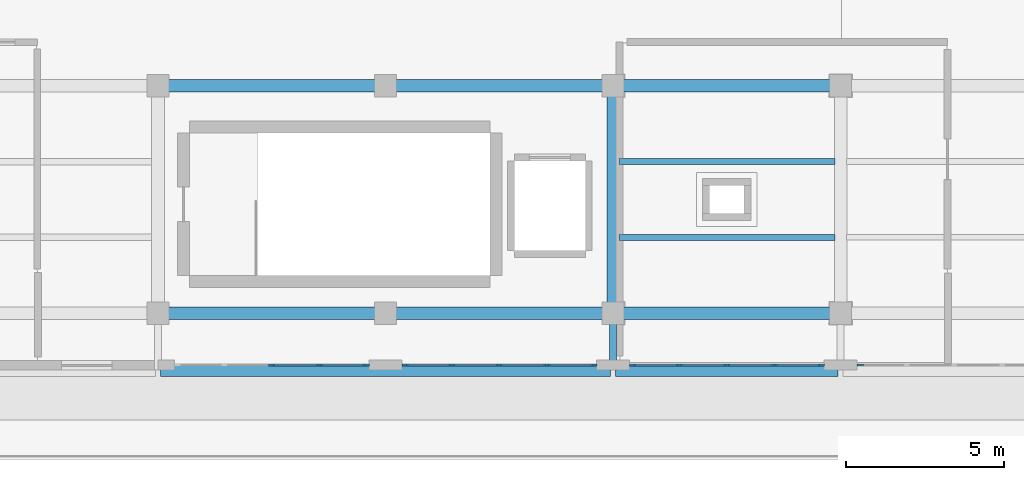
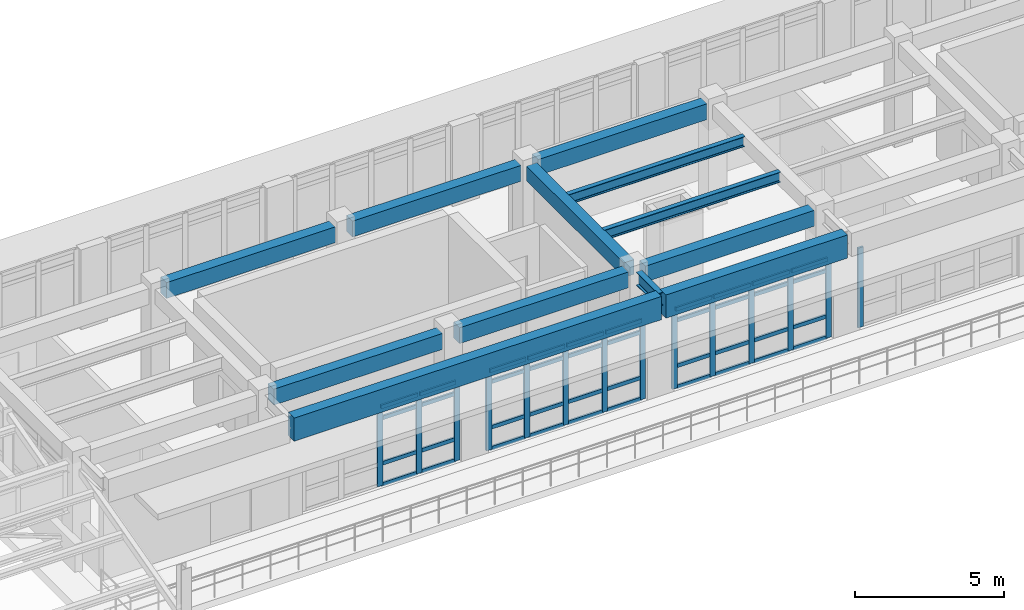
# One storey, part 11 of 55: 54 members, 12 beams, 4 elements without a shape of their own.
"""IFC4 building model written with IfcOpenShell, lengths in metres."""

from ifc_helpers import new_model, si_unit, direction, frame, origin, origin_2d, place, context, subcontext, project, spatial, rectangle, i_section, extrude, material, layer, layer_set, material_profile, profile_set, type_object, element, aggregate, save


model = new_model("IFC4")

# Units and contexts
model_context = context("Model", 3, precision=1e-05, world=origin(), true_north=direction((0.0, 1.0)))
body_context = subcontext(model_context, "Body", "Model", "MODEL_VIEW")
ifc_project = project(units=[si_unit("LENGTHUNIT", "METRE"), si_unit("AREAUNIT", "SQUARE_METRE"), si_unit("VOLUMEUNIT", "CUBIC_METRE"), si_unit("PLANEANGLEUNIT", "RADIAN"), si_unit("MASSUNIT", "GRAM", prefix="KILO")], contexts=[model_context])

# Site, building, storey
site_placement = place(None, origin())
site = spatial("IfcSite", under=ifc_project, at=site_placement, CompositionType="ELEMENT")
building_placement = place(site_placement, origin())
building = spatial("IfcBuilding", under=site, at=building_placement, Name="Solenvale Faculty of Natural Sciences", CompositionType="ELEMENT")
storey_placement = place(building_placement, frame((0.0, 0.0, 22.5)))
storey = spatial("IfcBuildingStorey", under=building, at=storey_placement, Name="L05", CompositionType="ELEMENT", Elevation=22.5)

# Beams
ifc_material_1 = material(Name="Concrete 40 MPa", Category="concrete")
ifc_material_profile_1 = material_profile(ifc_material_1, rectangle(XDim=0.39990234375, YDim=0.60009765625, at=origin_2d()), Name="RC-BM-400x600")
ifc_profile_set_1 = profile_set([ifc_material_profile_1], Name="Concrete 40 MPa")
beam_type_1 = type_object("IfcBeamType", Name="BM-RC-400x600", PredefinedType="BEAM", material=ifc_profile_set_1)
beam_1_placement = place(storey_placement, frame((79.199951171875, 21.929931640625, 3.919921875), z_axis=(0.0, 1.0, 0.0), x_axis=(-1.0, 0.0, 0.0)))
element("IfcBeam", 1, at=beam_1_placement, inside=storey, type_object=beam_type_1, Name="L05 Y-Girder X79.2 (21.6..28.8)", PredefinedType="BEAM", context=body_context, shape_type="SweptSolid", body=[
    extrude(rectangle(XDim=0.39990234375, YDim=0.60009765625, at=origin_2d()), origin(), (0.0, 0.0, 1.0), 6.5400390625),
])
ifc_material_profile_2 = material_profile(ifc_material_1, rectangle(XDim=0.39990234375, YDim=0.64990234375, at=origin_2d()), Name="RC-BM-400x650")
ifc_profile_set_2 = profile_set([ifc_material_profile_2], Name="Concrete 40 MPa")
beam_type_2 = type_object("IfcBeamType", Name="BM-RC-400x650", PredefinedType="BEAM", material=ifc_profile_set_2)
for number, where, z_axis, x_axis, name in (
    (2, (65.1298828125, 21.60009765625, 3.89501953125), (1.0, 0.0, 0.0), (0.0, 1.0, 0.0), "L05 X-Girder Y21.6 (64.8..72.0)"),
    (3, (72.330078125, 21.60009765625, 3.89501953125), (1.0, 0.0, 0.0), (0.0, 1.0, 0.0), "L05 X-Girder Y21.6 (72.0..79.2)"),
    (4, (79.530029296875, 21.60009765625, 3.89501953125), (1.0, 0.0, 0.0), (0.0, 1.0, 0.0), "L05 X-Girder Y21.6 (79.2..86.4)"),
    (5, (65.1298828125, 28.800048828125, 3.89501953125), (1.0, 0.0, 0.0), (0.0, 1.0, 0.0), "L05 X-Girder Y28.8 (64.8..72.0)"),
    (6, (72.330078125, 28.800048828125, 3.89501953125), (1.0, 0.0, 0.0), (0.0, 1.0, 0.0), "L05 X-Girder Y28.8 (72.0..79.2)"),
    (7, (79.530029296875, 28.800048828125, 3.89501953125), (1.0, 0.0, 0.0), (0.0, 1.0, 0.0), "L05 X-Girder Y28.8 (79.2..86.4)"),
):
    element("IfcBeam", number, at=place(storey_placement, frame(where, z_axis=z_axis, x_axis=x_axis)), inside=storey, type_object=beam_type_2, Name=name, PredefinedType="BEAM", context=body_context, shape_type="SweptSolid", body=[
        extrude(rectangle(XDim=0.39990234375, YDim=0.64990234375, at=origin_2d()), origin(), (0.0, 0.0, 1.0), 6.5400390625),
    ])
ifc_material_2 = material(Name="Architectural bronze concrete 40 MPa", Category="concrete")
ifc_material_profile_3 = material_profile(ifc_material_2, rectangle(XDim=0.39990234375, YDim=0.949951171875, at=origin_2d()), Name="RC-SPN-400x950")
ifc_profile_set_3 = profile_set([ifc_material_profile_3], Name="Architectural bronze concrete 40 MPa")
beam_type_3 = type_object("IfcBeamType", Name="BM-SPN-BRZ-950", PredefinedType="SPANDREL", material=ifc_profile_set_3)
beam_2_placement = place(storey_placement, frame((64.8798828125, 19.800048828125, 3.7451171875), z_axis=(1.0, 0.0, 0.0), x_axis=(0.0, 1.0, 0.0)))
element("IfcBeam", 8, at=beam_2_placement, inside=storey, type_object=beam_type_3, Name="L06 Sliding-Tray South Bronze Fascia 2", PredefinedType="SPANDREL", context=body_context, shape_type="SweptSolid", body=[
    extrude(rectangle(XDim=0.39990234375, YDim=0.949951171875, at=origin_2d()), origin(), (0.0, 0.0, 1.0), 14.240234375),
])
beam_3_placement = place(storey_placement, frame((79.280029296875, 19.800048828125, 3.7451171875), z_axis=(1.0, 0.0, 0.0), x_axis=(0.0, 1.0, 0.0)))
element("IfcBeam", 9, at=beam_3_placement, inside=storey, type_object=beam_type_3, Name="L06 Sliding-Tray South Bronze Fascia 3", PredefinedType="SPANDREL", context=body_context, shape_type="SweptSolid", body=[
    extrude(rectangle(XDim=0.39990234375, YDim=0.949951171875, at=origin_2d()), origin(), (0.0, 0.0, 1.0), 7.0400390625),
])
ifc_material_3 = material(Name="Steel S355", Category="steel")
ifc_material_profile_4 = material_profile(ifc_material_3, i_section(OverallWidth=0.180908203125, OverallDepth=0.4169921875, WebThickness=0.010986328125, FlangeThickness=0.018310546875, FilletRadius=0.01611328125, at=origin_2d()), Name="W410x85")
ifc_profile_set_4 = profile_set([ifc_material_profile_4], Name="Steel S355")
beam_type_4 = type_object("IfcBeamType", Name="BM-STL-W410x85", PredefinedType="JOIST", material=ifc_profile_set_4)
for number, where, z_axis, x_axis, name in (
    (10, (79.3798828125, 24.0, 4.011474609375), (1.0, 0.0, 0.0), (0.0, 1.0, 0.0), "L05 Composite Floor Joist (12,4).1"),
    (11, (79.3798828125, 26.39990234375, 4.011474609375), (1.0, 0.0, 0.0), (0.0, 1.0, 0.0), "L05 Composite Floor Joist (12,4).2"),
):
    element("IfcBeam", number, at=place(storey_placement, frame(where, z_axis=z_axis, x_axis=x_axis)), inside=storey, type_object=beam_type_4, Name=name, PredefinedType="JOIST", context=body_context, shape_type="SweptSolid", body=[
        extrude(i_section(OverallWidth=0.180908203125, OverallDepth=0.4169921875, WebThickness=0.010986328125, FlangeThickness=0.018310546875, FilletRadius=0.01611328125, at=origin_2d()), origin(), (0.0, 0.0, 1.0), 6.840087890625),
    ])
ifc_material_profile_5 = material_profile(ifc_material_3, i_section(OverallWidth=0.2119140625, OverallDepth=0.5439453125, WebThickness=0.01318359375, FlangeThickness=0.021240234375, FilletRadius=0.01904296875, at=origin_2d()), Name="W530x123")
ifc_profile_set_5 = profile_set([ifc_material_profile_5], Name="Steel S355")
beam_type_5 = type_object("IfcBeamType", Name="BM-STL-W530x123", PredefinedType="BEAM", material=ifc_profile_set_5)
beam_4_placement = place(storey_placement, frame((79.199951171875, 21.27001953125, 3.947998046875), z_axis=(0.0, -1.0, 0.0), x_axis=(1.0, 0.0, 0.0)))
element("IfcBeam", 12, at=beam_4_placement, inside=storey, type_object=beam_type_5, Name="L05 V4 Cantilever Tray Girder X79.2", PredefinedType="BEAM", context=body_context, shape_type="SweptSolid", body=[
    extrude(i_section(OverallWidth=0.2119140625, OverallDepth=0.5439453125, WebThickness=0.01318359375, FlangeThickness=0.021240234375, FilletRadius=0.01904296875, at=origin_2d()), origin(), (0.0, 0.0, 1.0), 1.469970703125),
])

# Curtain wall, members
ifc_material_4 = material(Name="Anodised bronze aluminium", Category="aluminium")
ifc_layer = layer(ifc_material_4, 0.18994140625)
ifc_layer_set = layer_set([ifc_layer], Name="Anodised bronze aluminium")
curtain_wall_type = type_object("IfcCurtainWallType", Name="CW-TRAY-REC", PredefinedType="USERDEFINED", material=ifc_layer_set)
curtain_wall_1_placement = place(storey_placement, origin())
curtain_wall_1 = element("IfcCurtainWall", 13, at=curtain_wall_1_placement, inside=storey, type_object=curtain_wall_type, Name="L05 Curtain Wall CW-L05-P1-E4-B2", ObjectType="UNITISED CURTAIN WALL", PredefinedType="USERDEFINED")
ifc_material_profile_6 = material_profile(ifc_material_4, rectangle(XDim=0.074951171875, YDim=0.2099609375, at=origin_2d()), Name="ALU-MUL-75x210")
ifc_profile_set_6 = profile_set([ifc_material_profile_6], Name="Anodised bronze aluminium")
member_type_1 = type_object("IfcMemberType", Name="CWM-ALU-75x210", PredefinedType="MULLION", material=ifc_profile_set_6)
member_1_placement = place(storey_placement, frame((68.39990234375, 19.96240234375, 0.0), z_axis=(0.0, 0.0, 1.0), x_axis=(0.0, 1.0, 0.0)))
member_1 = element("IfcMember", 14, at=member_1_placement, type_object=member_type_1, Name="CW-02 mullion 3", PredefinedType="MULLION", context=body_context, shape_type="SweptSolid", body=[
    extrude(rectangle(XDim=0.074951171875, YDim=0.2099609375, at=origin_2d()), origin(), (0.0, 0.0, 1.0), 3.260009765625),
])
member_2_placement = place(storey_placement, frame((69.909912109375, 19.96240234375, 0.0), z_axis=(0.0, 0.0, 1.0), x_axis=(0.0, 1.0, 0.0)))
member_2 = element("IfcMember", 15, at=member_2_placement, type_object=member_type_1, Name="CW-02 mullion 4", PredefinedType="MULLION", context=body_context, shape_type="SweptSolid", body=[
    extrude(rectangle(XDim=0.074951171875, YDim=0.2099609375, at=origin_2d()), origin(), (0.0, 0.0, 1.0), 3.260009765625),
])
member_3_placement = place(storey_placement, frame((71.382568359375, 19.96240234375, 0.0), z_axis=(0.0, 0.0, 1.0), x_axis=(0.0, 1.0, 0.0)))
member_3 = element("IfcMember", 16, at=member_3_placement, type_object=member_type_1, Name="CW-02 mullion 5", PredefinedType="MULLION", context=body_context, shape_type="SweptSolid", body=[
    extrude(rectangle(XDim=0.074951171875, YDim=0.2099609375, at=origin_2d()), origin(), (0.0, 0.0, 1.0), 3.260009765625),
])

curtain_wall_2_placement = place(storey_placement, origin())
curtain_wall_2 = element("IfcCurtainWall", 17, at=curtain_wall_2_placement, inside=storey, type_object=curtain_wall_type, Name="L05 Curtain Wall CW-L05-P1-E4-B3", ObjectType="UNITISED CURTAIN WALL", PredefinedType="USERDEFINED")
member_4_placement = place(storey_placement, frame((72.617431640625, 19.96240234375, 0.0), z_axis=(0.0, 0.0, 1.0), x_axis=(0.0, 1.0, 0.0)))
member_4 = element("IfcMember", 18, at=member_4_placement, type_object=member_type_1, Name="CW-02 mullion 1", PredefinedType="MULLION", context=body_context, shape_type="SweptSolid", body=[
    extrude(rectangle(XDim=0.074951171875, YDim=0.2099609375, at=origin_2d()), origin(), (0.0, 0.0, 1.0), 3.260009765625),
])
member_5_placement = place(storey_placement, frame((74.090087890625, 19.96240234375, 0.0), z_axis=(0.0, 0.0, 1.0), x_axis=(0.0, 1.0, 0.0)))
member_5 = element("IfcMember", 19, at=member_5_placement, type_object=member_type_1, Name="CW-02 mullion 2", PredefinedType="MULLION", context=body_context, shape_type="SweptSolid", body=[
    extrude(rectangle(XDim=0.074951171875, YDim=0.2099609375, at=origin_2d()), origin(), (0.0, 0.0, 1.0), 3.260009765625),
])
member_6_placement = place(storey_placement, frame((75.60009765625, 19.96240234375, 0.0), z_axis=(0.0, 0.0, 1.0), x_axis=(0.0, 1.0, 0.0)))
member_6 = element("IfcMember", 20, at=member_6_placement, type_object=member_type_1, Name="CW-02 mullion 3", PredefinedType="MULLION", context=body_context, shape_type="SweptSolid", body=[
    extrude(rectangle(XDim=0.074951171875, YDim=0.2099609375, at=origin_2d()), origin(), (0.0, 0.0, 1.0), 3.260009765625),
])
member_7_placement = place(storey_placement, frame((77.110107421875, 19.96240234375, 0.0), z_axis=(0.0, 0.0, 1.0), x_axis=(0.0, 1.0, 0.0)))
member_7 = element("IfcMember", 21, at=member_7_placement, type_object=member_type_1, Name="CW-02 mullion 4", PredefinedType="MULLION", context=body_context, shape_type="SweptSolid", body=[
    extrude(rectangle(XDim=0.074951171875, YDim=0.2099609375, at=origin_2d()), origin(), (0.0, 0.0, 1.0), 3.260009765625),
])
member_8_placement = place(storey_placement, frame((78.58251953125, 19.96240234375, 0.0), z_axis=(0.0, 0.0, 1.0), x_axis=(0.0, 1.0, 0.0)))
member_8 = element("IfcMember", 22, at=member_8_placement, type_object=member_type_1, Name="CW-02 mullion 5", PredefinedType="MULLION", context=body_context, shape_type="SweptSolid", body=[
    extrude(rectangle(XDim=0.074951171875, YDim=0.2099609375, at=origin_2d()), origin(), (0.0, 0.0, 1.0), 3.260009765625),
])

curtain_wall_3_placement = place(storey_placement, origin())
curtain_wall_3 = element("IfcCurtainWall", 23, at=curtain_wall_3_placement, inside=storey, type_object=curtain_wall_type, Name="L05 Curtain Wall CW-L05-P1-E4-B4", ObjectType="UNITISED CURTAIN WALL", PredefinedType="USERDEFINED")
member_9_placement = place(storey_placement, frame((79.8173828125, 19.96240234375, 0.0), z_axis=(0.0, 0.0, 1.0), x_axis=(0.0, 1.0, 0.0)))
member_9 = element("IfcMember", 24, at=member_9_placement, type_object=member_type_1, Name="CW-02 mullion 1", PredefinedType="MULLION", context=body_context, shape_type="SweptSolid", body=[
    extrude(rectangle(XDim=0.074951171875, YDim=0.2099609375, at=origin_2d()), origin(), (0.0, 0.0, 1.0), 3.260009765625),
])
member_10_placement = place(storey_placement, frame((81.2900390625, 19.96240234375, 0.0), z_axis=(0.0, 0.0, 1.0), x_axis=(0.0, 1.0, 0.0)))
member_10 = element("IfcMember", 25, at=member_10_placement, type_object=member_type_1, Name="CW-02 mullion 2", PredefinedType="MULLION", context=body_context, shape_type="SweptSolid", body=[
    extrude(rectangle(XDim=0.074951171875, YDim=0.2099609375, at=origin_2d()), origin(), (0.0, 0.0, 1.0), 3.260009765625),
])
member_11_placement = place(storey_placement, frame((82.800048828125, 19.96240234375, 0.0), z_axis=(0.0, 0.0, 1.0), x_axis=(0.0, 1.0, 0.0)))
member_11 = element("IfcMember", 26, at=member_11_placement, type_object=member_type_1, Name="CW-02 mullion 3", PredefinedType="MULLION", context=body_context, shape_type="SweptSolid", body=[
    extrude(rectangle(XDim=0.074951171875, YDim=0.2099609375, at=origin_2d()), origin(), (0.0, 0.0, 1.0), 3.260009765625),
])
member_12_placement = place(storey_placement, frame((84.31005859375, 19.96240234375, 0.0), z_axis=(0.0, 0.0, 1.0), x_axis=(0.0, 1.0, 0.0)))
member_12 = element("IfcMember", 27, at=member_12_placement, type_object=member_type_1, Name="CW-02 mullion 4", PredefinedType="MULLION", context=body_context, shape_type="SweptSolid", body=[
    extrude(rectangle(XDim=0.074951171875, YDim=0.2099609375, at=origin_2d()), origin(), (0.0, 0.0, 1.0), 3.260009765625),
])
member_13_placement = place(storey_placement, frame((85.782470703125, 19.96240234375, 0.0), z_axis=(0.0, 0.0, 1.0), x_axis=(0.0, 1.0, 0.0)))
member_13 = element("IfcMember", 28, at=member_13_placement, type_object=member_type_1, Name="CW-02 mullion 5", PredefinedType="MULLION", context=body_context, shape_type="SweptSolid", body=[
    extrude(rectangle(XDim=0.074951171875, YDim=0.2099609375, at=origin_2d()), origin(), (0.0, 0.0, 1.0), 3.260009765625),
])

# Curtain wall, member
curtain_wall_4_placement = place(storey_placement, origin())
curtain_wall_4 = element("IfcCurtainWall", 29, at=curtain_wall_4_placement, inside=storey, type_object=curtain_wall_type, Name="L05 Curtain Wall CW-L05-P1-E4-B5", ObjectType="UNITISED CURTAIN WALL", PredefinedType="USERDEFINED")
member_14_placement = place(storey_placement, frame((87.017578125, 19.96240234375, 0.0), z_axis=(0.0, 0.0, 1.0), x_axis=(0.0, 1.0, 0.0)))
member_14 = element("IfcMember", 30, at=member_14_placement, type_object=member_type_1, Name="CW-02 mullion 1", PredefinedType="MULLION", context=body_context, shape_type="SweptSolid", body=[
    extrude(rectangle(XDim=0.074951171875, YDim=0.2099609375, at=origin_2d()), origin(), (0.0, 0.0, 1.0), 3.260009765625),
])
aggregate(curtain_wall_4, [member_14])

# Member
ifc_material_profile_7 = material_profile(ifc_material_4, rectangle(XDim=0.074951171875, YDim=0.155029296875, at=origin_2d()), Name="ALU-TRN-75x155")
ifc_profile_set_7 = profile_set([ifc_material_profile_7], Name="Anodised bronze aluminium")
member_type_2 = type_object("IfcMemberType", Name="CWT-ALU-75x155", PredefinedType="USERDEFINED", material=ifc_profile_set_7)
member_15_placement = place(storey_placement, frame((68.4375, 19.96240234375, 0.03759765625), z_axis=(1.0, 0.0, 0.0), x_axis=(0.0, 1.0, 0.0)))
member_15 = element("IfcMember", 31, at=member_15_placement, type_object=member_type_2, Name="CW-02 transom 3.1", ObjectType="TRANSOM", PredefinedType="USERDEFINED", context=body_context, shape_type="SweptSolid", body=[
    extrude(rectangle(XDim=0.074951171875, YDim=0.155029296875, at=origin_2d()), origin(), (0.0, 0.0, 1.0), 1.43505859375),
])

member_16_placement = place(storey_placement, frame((68.4375, 19.96240234375, 0.89990234375), z_axis=(1.0, 0.0, 0.0), x_axis=(0.0, 1.0, 0.0)))
member_16 = element("IfcMember", 32, at=member_16_placement, type_object=member_type_2, Name="CW-02 transom 3.2", ObjectType="TRANSOM", PredefinedType="USERDEFINED", context=body_context, shape_type="SweptSolid", body=[
    extrude(rectangle(XDim=0.074951171875, YDim=0.155029296875, at=origin_2d()), origin(), (0.0, 0.0, 1.0), 1.43505859375),
])

member_17_placement = place(storey_placement, frame((68.4375, 19.96240234375, 2.760009765625), z_axis=(1.0, 0.0, 0.0), x_axis=(0.0, 1.0, 0.0)))
member_17 = element("IfcMember", 33, at=member_17_placement, type_object=member_type_2, Name="CW-02 transom 3.3", ObjectType="TRANSOM", PredefinedType="USERDEFINED", context=body_context, shape_type="SweptSolid", body=[
    extrude(rectangle(XDim=0.074951171875, YDim=0.155029296875, at=origin_2d()), origin(), (0.0, 0.0, 1.0), 1.43505859375),
])

member_18_placement = place(storey_placement, frame((68.4375, 19.96240234375, 3.222412109375), z_axis=(1.0, 0.0, 0.0), x_axis=(0.0, 1.0, 0.0)))
member_18 = element("IfcMember", 34, at=member_18_placement, type_object=member_type_2, Name="CW-02 transom 3.4", ObjectType="TRANSOM", PredefinedType="USERDEFINED", context=body_context, shape_type="SweptSolid", body=[
    extrude(rectangle(XDim=0.074951171875, YDim=0.155029296875, at=origin_2d()), origin(), (0.0, 0.0, 1.0), 1.43505859375),
])

member_19_placement = place(storey_placement, frame((69.947509765625, 19.96240234375, 0.03759765625), z_axis=(1.0, 0.0, 0.0), x_axis=(0.0, 1.0, 0.0)))
member_19 = element("IfcMember", 35, at=member_19_placement, type_object=member_type_2, Name="CW-02 transom 4.1", ObjectType="TRANSOM", PredefinedType="USERDEFINED", context=body_context, shape_type="SweptSolid", body=[
    extrude(rectangle(XDim=0.074951171875, YDim=0.155029296875, at=origin_2d()), origin(), (0.0, 0.0, 1.0), 1.3974609375),
])

member_20_placement = place(storey_placement, frame((69.947509765625, 19.96240234375, 0.89990234375), z_axis=(1.0, 0.0, 0.0), x_axis=(0.0, 1.0, 0.0)))
member_20 = element("IfcMember", 36, at=member_20_placement, type_object=member_type_2, Name="CW-02 transom 4.2", ObjectType="TRANSOM", PredefinedType="USERDEFINED", context=body_context, shape_type="SweptSolid", body=[
    extrude(rectangle(XDim=0.074951171875, YDim=0.155029296875, at=origin_2d()), origin(), (0.0, 0.0, 1.0), 1.3974609375),
])

member_21_placement = place(storey_placement, frame((69.947509765625, 19.96240234375, 2.760009765625), z_axis=(1.0, 0.0, 0.0), x_axis=(0.0, 1.0, 0.0)))
member_21 = element("IfcMember", 37, at=member_21_placement, type_object=member_type_2, Name="CW-02 transom 4.3", ObjectType="TRANSOM", PredefinedType="USERDEFINED", context=body_context, shape_type="SweptSolid", body=[
    extrude(rectangle(XDim=0.074951171875, YDim=0.155029296875, at=origin_2d()), origin(), (0.0, 0.0, 1.0), 1.3974609375),
])

member_22_placement = place(storey_placement, frame((69.947509765625, 19.96240234375, 3.222412109375), z_axis=(1.0, 0.0, 0.0), x_axis=(0.0, 1.0, 0.0)))
member_22 = element("IfcMember", 38, at=member_22_placement, type_object=member_type_2, Name="CW-02 transom 4.4", ObjectType="TRANSOM", PredefinedType="USERDEFINED", context=body_context, shape_type="SweptSolid", body=[
    extrude(rectangle(XDim=0.074951171875, YDim=0.155029296875, at=origin_2d()), origin(), (0.0, 0.0, 1.0), 1.3974609375),
])

aggregate(curtain_wall_1, [member_1, member_2, member_3, member_15, member_16, member_17, member_18, member_19, member_20, member_21, member_22])

member_23_placement = place(storey_placement, frame((72.655029296875, 19.96240234375, 0.03759765625), z_axis=(1.0, 0.0, 0.0), x_axis=(0.0, 1.0, 0.0)))
member_23 = element("IfcMember", 39, at=member_23_placement, type_object=member_type_2, Name="CW-02 transom 1.1", ObjectType="TRANSOM", PredefinedType="USERDEFINED", context=body_context, shape_type="SweptSolid", body=[
    extrude(rectangle(XDim=0.074951171875, YDim=0.155029296875, at=origin_2d()), origin(), (0.0, 0.0, 1.0), 1.3974609375),
])

member_24_placement = place(storey_placement, frame((72.655029296875, 19.96240234375, 0.89990234375), z_axis=(1.0, 0.0, 0.0), x_axis=(0.0, 1.0, 0.0)))
member_24 = element("IfcMember", 40, at=member_24_placement, type_object=member_type_2, Name="CW-02 transom 1.2", ObjectType="TRANSOM", PredefinedType="USERDEFINED", context=body_context, shape_type="SweptSolid", body=[
    extrude(rectangle(XDim=0.074951171875, YDim=0.155029296875, at=origin_2d()), origin(), (0.0, 0.0, 1.0), 1.3974609375),
])

member_25_placement = place(storey_placement, frame((72.655029296875, 19.96240234375, 2.760009765625), z_axis=(1.0, 0.0, 0.0), x_axis=(0.0, 1.0, 0.0)))
member_25 = element("IfcMember", 41, at=member_25_placement, type_object=member_type_2, Name="CW-02 transom 1.3", ObjectType="TRANSOM", PredefinedType="USERDEFINED", context=body_context, shape_type="SweptSolid", body=[
    extrude(rectangle(XDim=0.074951171875, YDim=0.155029296875, at=origin_2d()), origin(), (0.0, 0.0, 1.0), 1.3974609375),
])

member_26_placement = place(storey_placement, frame((72.655029296875, 19.96240234375, 3.222412109375), z_axis=(1.0, 0.0, 0.0), x_axis=(0.0, 1.0, 0.0)))
member_26 = element("IfcMember", 42, at=member_26_placement, type_object=member_type_2, Name="CW-02 transom 1.4", ObjectType="TRANSOM", PredefinedType="USERDEFINED", context=body_context, shape_type="SweptSolid", body=[
    extrude(rectangle(XDim=0.074951171875, YDim=0.155029296875, at=origin_2d()), origin(), (0.0, 0.0, 1.0), 1.3974609375),
])

member_27_placement = place(storey_placement, frame((74.12744140625, 19.96240234375, 0.03759765625), z_axis=(1.0, 0.0, 0.0), x_axis=(0.0, 1.0, 0.0)))
member_27 = element("IfcMember", 43, at=member_27_placement, type_object=member_type_2, Name="CW-02 transom 2.1", ObjectType="TRANSOM", PredefinedType="USERDEFINED", context=body_context, shape_type="SweptSolid", body=[
    extrude(rectangle(XDim=0.074951171875, YDim=0.155029296875, at=origin_2d()), origin(), (0.0, 0.0, 1.0), 1.43505859375),
])

member_28_placement = place(storey_placement, frame((74.12744140625, 19.96240234375, 0.89990234375), z_axis=(1.0, 0.0, 0.0), x_axis=(0.0, 1.0, 0.0)))
member_28 = element("IfcMember", 44, at=member_28_placement, type_object=member_type_2, Name="CW-02 transom 2.2", ObjectType="TRANSOM", PredefinedType="USERDEFINED", context=body_context, shape_type="SweptSolid", body=[
    extrude(rectangle(XDim=0.074951171875, YDim=0.155029296875, at=origin_2d()), origin(), (0.0, 0.0, 1.0), 1.43505859375),
])

member_29_placement = place(storey_placement, frame((74.12744140625, 19.96240234375, 2.760009765625), z_axis=(1.0, 0.0, 0.0), x_axis=(0.0, 1.0, 0.0)))
member_29 = element("IfcMember", 45, at=member_29_placement, type_object=member_type_2, Name="CW-02 transom 2.3", ObjectType="TRANSOM", PredefinedType="USERDEFINED", context=body_context, shape_type="SweptSolid", body=[
    extrude(rectangle(XDim=0.074951171875, YDim=0.155029296875, at=origin_2d()), origin(), (0.0, 0.0, 1.0), 1.43505859375),
])

member_30_placement = place(storey_placement, frame((74.12744140625, 19.96240234375, 3.222412109375), z_axis=(1.0, 0.0, 0.0), x_axis=(0.0, 1.0, 0.0)))
member_30 = element("IfcMember", 46, at=member_30_placement, type_object=member_type_2, Name="CW-02 transom 2.4", ObjectType="TRANSOM", PredefinedType="USERDEFINED", context=body_context, shape_type="SweptSolid", body=[
    extrude(rectangle(XDim=0.074951171875, YDim=0.155029296875, at=origin_2d()), origin(), (0.0, 0.0, 1.0), 1.43505859375),
])

member_31_placement = place(storey_placement, frame((75.637451171875, 19.96240234375, 0.03759765625), z_axis=(1.0, 0.0, 0.0), x_axis=(0.0, 1.0, 0.0)))
member_31 = element("IfcMember", 47, at=member_31_placement, type_object=member_type_2, Name="CW-02 transom 3.1", ObjectType="TRANSOM", PredefinedType="USERDEFINED", context=body_context, shape_type="SweptSolid", body=[
    extrude(rectangle(XDim=0.074951171875, YDim=0.155029296875, at=origin_2d()), origin(), (0.0, 0.0, 1.0), 1.43505859375),
])

member_32_placement = place(storey_placement, frame((75.637451171875, 19.96240234375, 0.89990234375), z_axis=(1.0, 0.0, 0.0), x_axis=(0.0, 1.0, 0.0)))
member_32 = element("IfcMember", 48, at=member_32_placement, type_object=member_type_2, Name="CW-02 transom 3.2", ObjectType="TRANSOM", PredefinedType="USERDEFINED", context=body_context, shape_type="SweptSolid", body=[
    extrude(rectangle(XDim=0.074951171875, YDim=0.155029296875, at=origin_2d()), origin(), (0.0, 0.0, 1.0), 1.43505859375),
])

member_33_placement = place(storey_placement, frame((75.637451171875, 19.96240234375, 2.760009765625), z_axis=(1.0, 0.0, 0.0), x_axis=(0.0, 1.0, 0.0)))
member_33 = element("IfcMember", 49, at=member_33_placement, type_object=member_type_2, Name="CW-02 transom 3.3", ObjectType="TRANSOM", PredefinedType="USERDEFINED", context=body_context, shape_type="SweptSolid", body=[
    extrude(rectangle(XDim=0.074951171875, YDim=0.155029296875, at=origin_2d()), origin(), (0.0, 0.0, 1.0), 1.43505859375),
])

member_34_placement = place(storey_placement, frame((75.637451171875, 19.96240234375, 3.222412109375), z_axis=(1.0, 0.0, 0.0), x_axis=(0.0, 1.0, 0.0)))
member_34 = element("IfcMember", 50, at=member_34_placement, type_object=member_type_2, Name="CW-02 transom 3.4", ObjectType="TRANSOM", PredefinedType="USERDEFINED", context=body_context, shape_type="SweptSolid", body=[
    extrude(rectangle(XDim=0.074951171875, YDim=0.155029296875, at=origin_2d()), origin(), (0.0, 0.0, 1.0), 1.43505859375),
])

member_35_placement = place(storey_placement, frame((77.1474609375, 19.96240234375, 0.03759765625), z_axis=(1.0, 0.0, 0.0), x_axis=(0.0, 1.0, 0.0)))
member_35 = element("IfcMember", 51, at=member_35_placement, type_object=member_type_2, Name="CW-02 transom 4.1", ObjectType="TRANSOM", PredefinedType="USERDEFINED", context=body_context, shape_type="SweptSolid", body=[
    extrude(rectangle(XDim=0.074951171875, YDim=0.155029296875, at=origin_2d()), origin(), (0.0, 0.0, 1.0), 1.3974609375),
])

member_36_placement = place(storey_placement, frame((77.1474609375, 19.96240234375, 0.89990234375), z_axis=(1.0, 0.0, 0.0), x_axis=(0.0, 1.0, 0.0)))
member_36 = element("IfcMember", 52, at=member_36_placement, type_object=member_type_2, Name="CW-02 transom 4.2", ObjectType="TRANSOM", PredefinedType="USERDEFINED", context=body_context, shape_type="SweptSolid", body=[
    extrude(rectangle(XDim=0.074951171875, YDim=0.155029296875, at=origin_2d()), origin(), (0.0, 0.0, 1.0), 1.3974609375),
])

member_37_placement = place(storey_placement, frame((77.1474609375, 19.96240234375, 2.760009765625), z_axis=(1.0, 0.0, 0.0), x_axis=(0.0, 1.0, 0.0)))
member_37 = element("IfcMember", 53, at=member_37_placement, type_object=member_type_2, Name="CW-02 transom 4.3", ObjectType="TRANSOM", PredefinedType="USERDEFINED", context=body_context, shape_type="SweptSolid", body=[
    extrude(rectangle(XDim=0.074951171875, YDim=0.155029296875, at=origin_2d()), origin(), (0.0, 0.0, 1.0), 1.3974609375),
])

member_38_placement = place(storey_placement, frame((77.1474609375, 19.96240234375, 3.222412109375), z_axis=(1.0, 0.0, 0.0), x_axis=(0.0, 1.0, 0.0)))
member_38 = element("IfcMember", 54, at=member_38_placement, type_object=member_type_2, Name="CW-02 transom 4.4", ObjectType="TRANSOM", PredefinedType="USERDEFINED", context=body_context, shape_type="SweptSolid", body=[
    extrude(rectangle(XDim=0.074951171875, YDim=0.155029296875, at=origin_2d()), origin(), (0.0, 0.0, 1.0), 1.3974609375),
])

aggregate(curtain_wall_2, [member_4, member_5, member_6, member_7, member_8, member_23, member_24, member_25, member_26, member_27, member_28, member_29, member_30, member_31, member_32, member_33, member_34, member_35, member_36, member_37, member_38])

member_39_placement = place(storey_placement, frame((79.85498046875, 19.96240234375, 0.03759765625), z_axis=(1.0, 0.0, 0.0), x_axis=(0.0, 1.0, 0.0)))
member_39 = element("IfcMember", 55, at=member_39_placement, type_object=member_type_2, Name="CW-02 transom 1.1", ObjectType="TRANSOM", PredefinedType="USERDEFINED", context=body_context, shape_type="SweptSolid", body=[
    extrude(rectangle(XDim=0.074951171875, YDim=0.155029296875, at=origin_2d()), origin(), (0.0, 0.0, 1.0), 1.3974609375),
])

member_40_placement = place(storey_placement, frame((79.85498046875, 19.96240234375, 0.89990234375), z_axis=(1.0, 0.0, 0.0), x_axis=(0.0, 1.0, 0.0)))
member_40 = element("IfcMember", 56, at=member_40_placement, type_object=member_type_2, Name="CW-02 transom 1.2", ObjectType="TRANSOM", PredefinedType="USERDEFINED", context=body_context, shape_type="SweptSolid", body=[
    extrude(rectangle(XDim=0.074951171875, YDim=0.155029296875, at=origin_2d()), origin(), (0.0, 0.0, 1.0), 1.3974609375),
])

member_41_placement = place(storey_placement, frame((79.85498046875, 19.96240234375, 2.760009765625), z_axis=(1.0, 0.0, 0.0), x_axis=(0.0, 1.0, 0.0)))
member_41 = element("IfcMember", 57, at=member_41_placement, type_object=member_type_2, Name="CW-02 transom 1.3", ObjectType="TRANSOM", PredefinedType="USERDEFINED", context=body_context, shape_type="SweptSolid", body=[
    extrude(rectangle(XDim=0.074951171875, YDim=0.155029296875, at=origin_2d()), origin(), (0.0, 0.0, 1.0), 1.3974609375),
])

member_42_placement = place(storey_placement, frame((79.85498046875, 19.96240234375, 3.222412109375), z_axis=(1.0, 0.0, 0.0), x_axis=(0.0, 1.0, 0.0)))
member_42 = element("IfcMember", 58, at=member_42_placement, type_object=member_type_2, Name="CW-02 transom 1.4", ObjectType="TRANSOM", PredefinedType="USERDEFINED", context=body_context, shape_type="SweptSolid", body=[
    extrude(rectangle(XDim=0.074951171875, YDim=0.155029296875, at=origin_2d()), origin(), (0.0, 0.0, 1.0), 1.3974609375),
])

member_43_placement = place(storey_placement, frame((81.327392578125, 19.96240234375, 0.03759765625), z_axis=(1.0, 0.0, 0.0), x_axis=(0.0, 1.0, 0.0)))
member_43 = element("IfcMember", 59, at=member_43_placement, type_object=member_type_2, Name="CW-02 transom 2.1", ObjectType="TRANSOM", PredefinedType="USERDEFINED", context=body_context, shape_type="SweptSolid", body=[
    extrude(rectangle(XDim=0.074951171875, YDim=0.155029296875, at=origin_2d()), origin(), (0.0, 0.0, 1.0), 1.43505859375),
])

member_44_placement = place(storey_placement, frame((81.327392578125, 19.96240234375, 0.89990234375), z_axis=(1.0, 0.0, 0.0), x_axis=(0.0, 1.0, 0.0)))
member_44 = element("IfcMember", 60, at=member_44_placement, type_object=member_type_2, Name="CW-02 transom 2.2", ObjectType="TRANSOM", PredefinedType="USERDEFINED", context=body_context, shape_type="SweptSolid", body=[
    extrude(rectangle(XDim=0.074951171875, YDim=0.155029296875, at=origin_2d()), origin(), (0.0, 0.0, 1.0), 1.43505859375),
])

member_45_placement = place(storey_placement, frame((81.327392578125, 19.96240234375, 2.760009765625), z_axis=(1.0, 0.0, 0.0), x_axis=(0.0, 1.0, 0.0)))
member_45 = element("IfcMember", 61, at=member_45_placement, type_object=member_type_2, Name="CW-02 transom 2.3", ObjectType="TRANSOM", PredefinedType="USERDEFINED", context=body_context, shape_type="SweptSolid", body=[
    extrude(rectangle(XDim=0.074951171875, YDim=0.155029296875, at=origin_2d()), origin(), (0.0, 0.0, 1.0), 1.43505859375),
])

member_46_placement = place(storey_placement, frame((81.327392578125, 19.96240234375, 3.222412109375), z_axis=(1.0, 0.0, 0.0), x_axis=(0.0, 1.0, 0.0)))
member_46 = element("IfcMember", 62, at=member_46_placement, type_object=member_type_2, Name="CW-02 transom 2.4", ObjectType="TRANSOM", PredefinedType="USERDEFINED", context=body_context, shape_type="SweptSolid", body=[
    extrude(rectangle(XDim=0.074951171875, YDim=0.155029296875, at=origin_2d()), origin(), (0.0, 0.0, 1.0), 1.43505859375),
])

member_47_placement = place(storey_placement, frame((82.83740234375, 19.96240234375, 0.03759765625), z_axis=(1.0, 0.0, 0.0), x_axis=(0.0, 1.0, 0.0)))
member_47 = element("IfcMember", 63, at=member_47_placement, type_object=member_type_2, Name="CW-02 transom 3.1", ObjectType="TRANSOM", PredefinedType="USERDEFINED", context=body_context, shape_type="SweptSolid", body=[
    extrude(rectangle(XDim=0.074951171875, YDim=0.155029296875, at=origin_2d()), origin(), (0.0, 0.0, 1.0), 1.43505859375),
])

member_48_placement = place(storey_placement, frame((82.83740234375, 19.96240234375, 0.89990234375), z_axis=(1.0, 0.0, 0.0), x_axis=(0.0, 1.0, 0.0)))
member_48 = element("IfcMember", 64, at=member_48_placement, type_object=member_type_2, Name="CW-02 transom 3.2", ObjectType="TRANSOM", PredefinedType="USERDEFINED", context=body_context, shape_type="SweptSolid", body=[
    extrude(rectangle(XDim=0.074951171875, YDim=0.155029296875, at=origin_2d()), origin(), (0.0, 0.0, 1.0), 1.43505859375),
])

member_49_placement = place(storey_placement, frame((82.83740234375, 19.96240234375, 2.760009765625), z_axis=(1.0, 0.0, 0.0), x_axis=(0.0, 1.0, 0.0)))
member_49 = element("IfcMember", 65, at=member_49_placement, type_object=member_type_2, Name="CW-02 transom 3.3", ObjectType="TRANSOM", PredefinedType="USERDEFINED", context=body_context, shape_type="SweptSolid", body=[
    extrude(rectangle(XDim=0.074951171875, YDim=0.155029296875, at=origin_2d()), origin(), (0.0, 0.0, 1.0), 1.43505859375),
])

member_50_placement = place(storey_placement, frame((82.83740234375, 19.96240234375, 3.222412109375), z_axis=(1.0, 0.0, 0.0), x_axis=(0.0, 1.0, 0.0)))
member_50 = element("IfcMember", 66, at=member_50_placement, type_object=member_type_2, Name="CW-02 transom 3.4", ObjectType="TRANSOM", PredefinedType="USERDEFINED", context=body_context, shape_type="SweptSolid", body=[
    extrude(rectangle(XDim=0.074951171875, YDim=0.155029296875, at=origin_2d()), origin(), (0.0, 0.0, 1.0), 1.43505859375),
])

member_51_placement = place(storey_placement, frame((84.347412109375, 19.96240234375, 0.03759765625), z_axis=(1.0, 0.0, 0.0), x_axis=(0.0, 1.0, 0.0)))
member_51 = element("IfcMember", 67, at=member_51_placement, type_object=member_type_2, Name="CW-02 transom 4.1", ObjectType="TRANSOM", PredefinedType="USERDEFINED", context=body_context, shape_type="SweptSolid", body=[
    extrude(rectangle(XDim=0.074951171875, YDim=0.155029296875, at=origin_2d()), origin(), (0.0, 0.0, 1.0), 1.397705078125),
])

member_52_placement = place(storey_placement, frame((84.347412109375, 19.96240234375, 0.89990234375), z_axis=(1.0, 0.0, 0.0), x_axis=(0.0, 1.0, 0.0)))
member_52 = element("IfcMember", 68, at=member_52_placement, type_object=member_type_2, Name="CW-02 transom 4.2", ObjectType="TRANSOM", PredefinedType="USERDEFINED", context=body_context, shape_type="SweptSolid", body=[
    extrude(rectangle(XDim=0.074951171875, YDim=0.155029296875, at=origin_2d()), origin(), (0.0, 0.0, 1.0), 1.397705078125),
])

member_53_placement = place(storey_placement, frame((84.347412109375, 19.96240234375, 2.760009765625), z_axis=(1.0, 0.0, 0.0), x_axis=(0.0, 1.0, 0.0)))
member_53 = element("IfcMember", 69, at=member_53_placement, type_object=member_type_2, Name="CW-02 transom 4.3", ObjectType="TRANSOM", PredefinedType="USERDEFINED", context=body_context, shape_type="SweptSolid", body=[
    extrude(rectangle(XDim=0.074951171875, YDim=0.155029296875, at=origin_2d()), origin(), (0.0, 0.0, 1.0), 1.397705078125),
])

member_54_placement = place(storey_placement, frame((84.347412109375, 19.96240234375, 3.222412109375), z_axis=(1.0, 0.0, 0.0), x_axis=(0.0, 1.0, 0.0)))
member_54 = element("IfcMember", 70, at=member_54_placement, type_object=member_type_2, Name="CW-02 transom 4.4", ObjectType="TRANSOM", PredefinedType="USERDEFINED", context=body_context, shape_type="SweptSolid", body=[
    extrude(rectangle(XDim=0.074951171875, YDim=0.155029296875, at=origin_2d()), origin(), (0.0, 0.0, 1.0), 1.397705078125),
])

aggregate(curtain_wall_3, [member_9, member_10, member_11, member_12, member_13, member_39, member_40, member_41, member_42, member_43, member_44, member_45, member_46, member_47, member_48, member_49, member_50, member_51, member_52, member_53, member_54])

save(model, "model.ifc")
